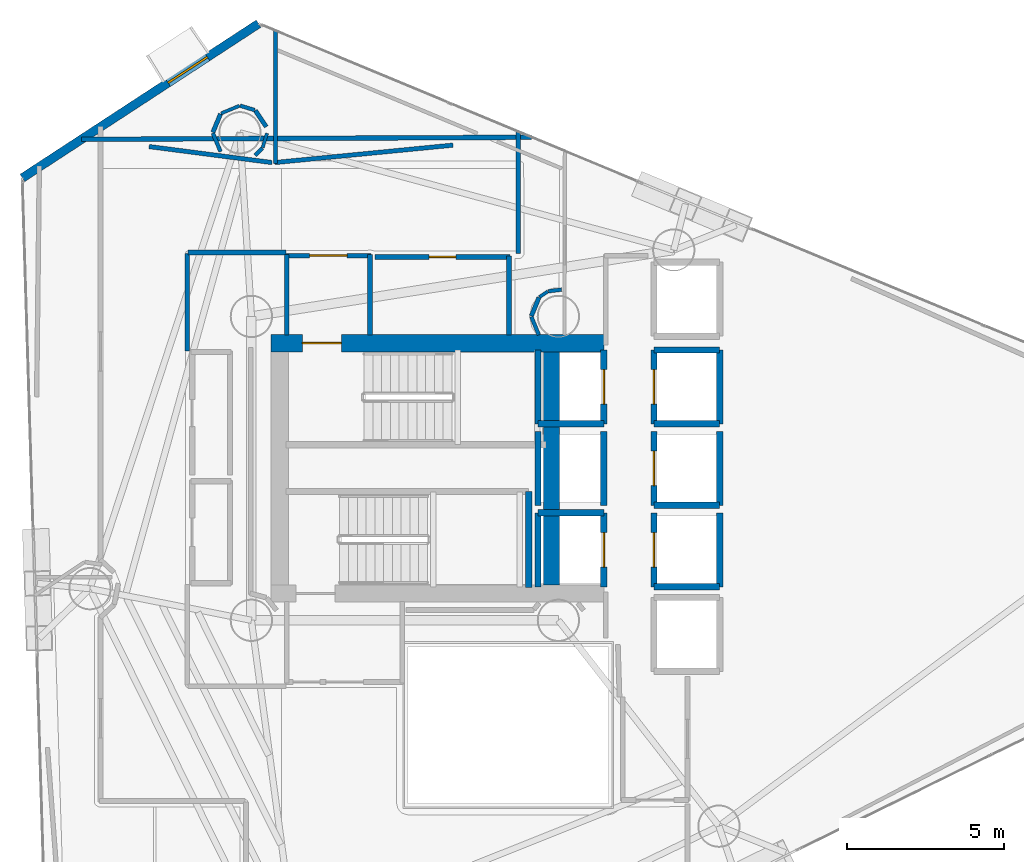
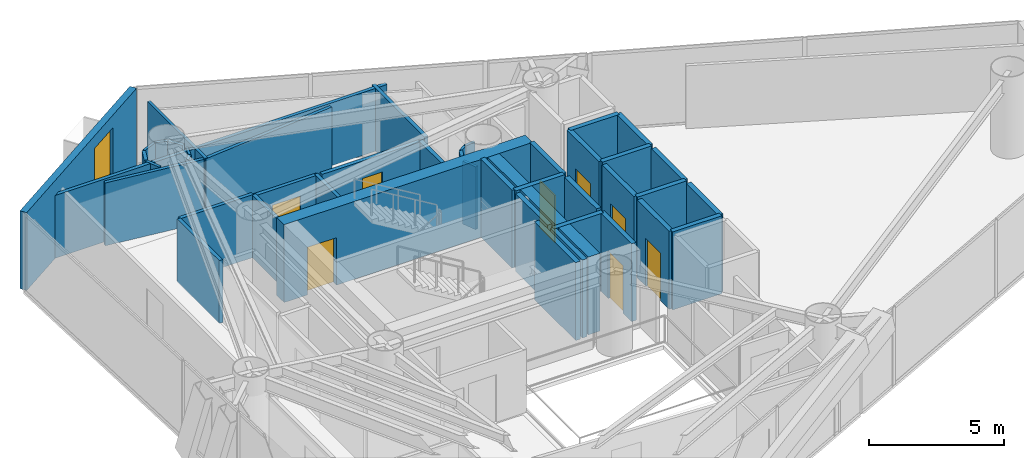
# One storey, part 19 of 22: 45 walls, 8 doors, 1 window, 9 openings.
"""IFC4 building model written with IfcOpenShell, lengths in metres."""

from ifc_helpers import new_model, si_unit, direction, frame, frame_2d, origin, place, context, subcontext, project, spatial, rectangle, extrude, material, layer, layer_set, type_object, element, fill, save


model = new_model("IFC4")

# Units and contexts
model_context = context("Model", 3, precision=1e-05, world=origin(), true_north=direction((0.0, 1.0)))
body_context = subcontext(model_context, "Body", "Model", "MODEL_VIEW")
ifc_project = project(units=[si_unit("LENGTHUNIT", "METRE"), si_unit("AREAUNIT", "SQUARE_METRE"), si_unit("VOLUMEUNIT", "CUBIC_METRE"), si_unit("PLANEANGLEUNIT", "RADIAN"), si_unit("MASSUNIT", "GRAM", prefix="KILO")], contexts=[model_context])

# Site, building, storey
site_placement = place(None, origin())
site = spatial("IfcSite", under=ifc_project, at=site_placement, CompositionType="ELEMENT")
building_placement = place(site_placement, origin())
building = spatial("IfcBuilding", under=site, at=building_placement, Name="Qianvela Tower", CompositionType="ELEMENT")
storey_placement = place(building_placement, frame((0.0, 0.0, 155.0)))
storey = spatial("IfcBuildingStorey", under=building, at=storey_placement, Name="L39", CompositionType="ELEMENT", Elevation=155.0)

# Wall, opening, window
ifc_material_1 = material(Name="Terracotta Cladding on Concrete C40", Category="masonry")
ifc_layer_1 = layer(ifc_material_1, 0.280029296875)
ifc_layer_set_1 = layer_set([ifc_layer_1], Name="Terracotta Cladding on Concrete C40")
wall_type_1 = type_object("IfcWallType", Name="TERRACOTTA-WALL-280", PredefinedType="SOLIDWALL", material=ifc_layer_set_1)
wall_1_placement = place(storey_placement, frame((28.82958984375, 42.894287109375, 0.0), z_axis=(0.0, 0.0, 1.0), x_axis=(-0.837273291315, -0.5467846337, 0.0)))
wall_1 = element("IfcWall", 1, at=wall_1_placement, inside=storey, type_object=wall_type_1, Name="L39 Terracotta Chamfer Facet Wall 3", PredefinedType="SOLIDWALL", context=body_context, shape_type="SweptSolid", body=[
    extrude(rectangle(XDim=9.003662109375, YDim=0.280029296875, at=frame_2d((4.501953125, 0.0))), origin(), (0.0, 0.0, 1.0), 3.52001953125),
])
opening_1_placement = place(wall_1_placement, frame((1.951171875, 0.0, 0.85009765625)))
opening_1 = element("IfcOpeningElement", 2, at=opening_1_placement, cuts=wall_1, Name="Opening W-02", PredefinedType="OPENING", context=body_context, shape_type="SweptSolid", body=[
    extrude(rectangle(XDim=1.5, YDim=2.10009765625, at=frame_2d((0.75, 1.050048828125))), frame((0.0, 0.14990234375, 0.0), z_axis=(0.0, -1.0, 0.0), x_axis=(1.0, 0.0, 0.0)), (0.0, 0.0, 1.0), 0.300048828125),
])
ifc_material_2 = material(Name="Thermally Broken Aluminium and Low-E Glass", Category="aluminium")
window_type = type_object("IfcWindowType", Name="WIN-TC-1500x2100", PartitioningType="DOUBLE_PANEL_VERTICAL", PredefinedType="WINDOW", material=ifc_material_2)
window_placement = place(opening_1_placement, origin())
window = element("IfcWindow", 3, at=window_placement, inside=storey, type_object=window_type, Name="L39 Chamfer Facet Window 3.1", OverallHeight=2.10009765625, OverallWidth=1.5, PartitioningType="SINGLE_PANEL", PredefinedType="WINDOW", context=body_context, shape_type="SweptSolid", body=[
    extrude(rectangle(XDim=1.5, YDim=2.10009765625, at=frame_2d((0.75, 1.050048828125))), frame((0.0, 0.030029296875, 0.0), z_axis=(0.0, -1.0, 0.0), x_axis=(1.0, 0.0, 0.0)), (0.0, 0.0, 1.0), 0.06005859375),
])
fill(opening_1, window)

# Wall, opening, door
ifc_material_3 = material(Name="Concrete C60", Category="concrete")
ifc_layer_2 = layer(ifc_material_3, 0.550048828125)
ifc_layer_set_2 = layer_set([ifc_layer_2], Name="Concrete C60")
wall_type_2 = type_object("IfcWallType", Name="WT-CORE-550", PredefinedType="SHEAR", material=ifc_layer_set_2)
wall_2_placement = place(storey_placement, frame((29.22998046875, 32.695068359375, 0.0), z_axis=(0.0, 0.0, 1.0), x_axis=(1.0, 0.0, 0.0)))
wall_2 = element("IfcWall", 4, at=wall_2_placement, inside=storey, type_object=wall_type_2, Name="L39 North Core Shear Wall", PredefinedType="SHEAR", context=body_context, shape_type="SweptSolid", body=[
    extrude(rectangle(XDim=10.6201171875, YDim=0.550048828125, at=frame_2d((5.31005859375, 0.0))), origin(), (0.0, 0.0, 1.0), 3.52001953125),
])
opening_2_placement = place(wall_2_placement, frame((0.9951171875, 0.0, 0.0)))
opening_2 = element("IfcOpeningElement", 5, at=opening_2_placement, cuts=wall_2, Name="Opening D-ST1", PredefinedType="OPENING", context=body_context, shape_type="SweptSolid", body=[
    extrude(rectangle(XDim=1.25, YDim=2.14990234375, at=frame_2d((0.625, 1.074951171875))), frame((0.0, 0.284912109375, 0.0), z_axis=(0.0, -1.0, 0.0), x_axis=(1.0, 0.0, 0.0)), (0.0, 0.0, 1.0), 0.570068359375),
])
ifc_material_4 = material(Name="Galvanised Fire Steel Q355B", Category="steel")
door_type_1 = type_object("IfcDoorType", Name="DT-STAIR-FD90", OperationType="NOTDEFINED", PredefinedType="DOOR", material=ifc_material_4)
door_1_placement = place(opening_2_placement, origin())
door_1 = element("IfcDoor", 6, at=door_1_placement, inside=storey, type_object=door_type_1, Name="L39 Stair ST-1 Exit Door", OperationType="SINGLE_SWING_RIGHT", OverallHeight=2.14990234375, OverallWidth=1.25, PredefinedType="DOOR", context=body_context, shape_type="SweptSolid", body=[
    extrude(rectangle(XDim=1.25, YDim=2.14990234375, at=frame_2d((0.625, 1.074951171875))), frame((0.0, 0.02490234375, 0.0), z_axis=(0.0, -1.0, 0.0), x_axis=(1.0, 0.0, 0.0)), (0.0, 0.0, 1.0), 0.050048828125),
])
fill(opening_2, door_1)

# Walls
wall_3_placement = place(storey_placement, frame((38.179931640625, 24.97998046875, 0.0), z_axis=(0.0, 0.0, 1.0), x_axis=(0.0, 1.0, 0.0)))
element("IfcWall", 7, at=wall_3_placement, inside=storey, type_object=wall_type_2, Name="L39 East Spine Core Shear Wall", PredefinedType="SHEAR", context=body_context, shape_type="SweptSolid", body=[
    extrude(rectangle(XDim=7.43994140625, YDim=0.5, at=frame_2d((3.719970703125, 0.0))), origin(), (0.0, 0.0, 1.0), 3.52001953125),
])
ifc_material_5 = material(Name="Fire-Rated Acoustic Gypsum Board")
ifc_layer_3 = layer(ifc_material_5, 0.14990234375)
ifc_layer_set_3 = layer_set([ifc_layer_3], Name="Fire-Rated Acoustic Gypsum Board")
wall_type_3 = type_object("IfcWallType", Name="WT-CORR-150", PredefinedType="PARTITIONING", material=ifc_layer_set_3)
wall_4_placement = place(storey_placement, frame((29.73095703125, 32.9580078125, 0.0), z_axis=(0.0, 0.0, 1.0), x_axis=(0.0, 1.0, 0.0)))
element("IfcWall", 8, at=wall_4_placement, inside=storey, type_object=wall_type_3, Name="L39 Partition 2", PredefinedType="PARTITIONING", context=body_context, shape_type="SweptSolid", body=[
    extrude(rectangle(XDim=2.56201171875, YDim=0.14990234375, at=frame_2d((1.281005859375, 0.0))), origin(), (0.0, 0.0, 1.0), 2.840087890625),
])

# Wall, opening, door
wall_5_placement = place(storey_placement, frame((29.699951171875, 35.489013671875, 0.0), z_axis=(0.0, 0.0, 1.0), x_axis=(1.0, 0.0, 0.0)))
wall_5 = element("IfcWall", 9, at=wall_5_placement, inside=storey, type_object=wall_type_3, Name="L39 Partition 3", PredefinedType="PARTITIONING", context=body_context, shape_type="SweptSolid", body=[
    extrude(rectangle(XDim=2.719970703125, YDim=0.14990234375, at=frame_2d((1.35986328125, 0.0))), origin(), (0.0, 0.0, 1.0), 2.840087890625),
])
opening_3_placement = place(wall_5_placement, frame((0.760009765625, 0.0, 0.0)))
opening_3 = element("IfcOpeningElement", 10, at=opening_3_placement, cuts=wall_5, Name="Opening D-LB1", PredefinedType="OPENING", context=body_context, shape_type="SweptSolid", body=[
    extrude(rectangle(XDim=1.199951171875, YDim=2.14990234375, at=frame_2d((0.60009765625, 1.074951171875))), frame((0.0, 0.0849609375, 0.0), z_axis=(0.0, -1.0, 0.0), x_axis=(1.0, 0.0, 0.0)), (0.0, 0.0, 1.0), 0.169921875),
])
ifc_material_6 = material(Name="Glazed Fire-Rated Steel Frame", Category="steel")
door_type_2 = type_object("IfcDoorType", Name="DT-LOBBY-FD90", OperationType="NOTDEFINED", PredefinedType="DOOR", material=ifc_material_6)
door_2_placement = place(opening_3_placement, origin())
door_2 = element("IfcDoor", 11, at=door_2_placement, inside=storey, type_object=door_type_2, Name="L39 Door L39 Firefighting Lobby North to L39 Floor Corridor", OperationType="SINGLE_SWING_LEFT", OverallHeight=2.14990234375, OverallWidth=1.199951171875, PredefinedType="DOOR", context=body_context, shape_type="SweptSolid", body=[
    extrude(rectangle(XDim=1.199951171875, YDim=2.14990234375, at=frame_2d((0.60009765625, 1.074951171875))), frame((0.0, 0.02490234375, 0.0), z_axis=(0.0, -1.0, 0.0), x_axis=(1.0, 0.0, 0.0)), (0.0, 0.0, 1.0), 0.050048828125),
])
fill(opening_3, door_2)

# Walls
wall_6_placement = place(storey_placement, frame((32.388916015625, 35.52001953125, 0.0), z_axis=(0.0, 0.0, 1.0), x_axis=(0.0, -1.0, 0.0)))
element("IfcWall", 12, at=wall_6_placement, inside=storey, type_object=wall_type_3, Name="L39 Partition 4", PredefinedType="PARTITIONING", context=body_context, shape_type="SweptSolid", body=[
    extrude(rectangle(XDim=2.56201171875, YDim=0.14990234375, at=frame_2d((1.281005859375, 0.0))), origin(), (0.0, 0.0, 1.0), 2.840087890625),
])
wall_7_placement = place(storey_placement, frame((23.174072265625, 39.200927734375, 0.0), z_axis=(0.0, 0.0, 1.0), x_axis=(0.999989166238, 0.004654826148, 0.0)))
element("IfcWall", 13, at=wall_7_placement, inside=storey, type_object=wall_type_3, Name="L39 Partition 50", PredefinedType="PARTITIONING", context=body_context, shape_type="SweptSolid", body=[
    extrude(rectangle(XDim=14.37109375, YDim=0.14990234375, at=frame_2d((7.185546875, 0.0))), origin(), (0.0, 0.0, 1.0), 2.840087890625),
])
wall_8_placement = place(storey_placement, frame((37.118896484375, 39.465087890625, 0.0), z_axis=(0.0, 0.0, 1.0), x_axis=(0.0, -1.0, 0.0)))
element("IfcWall", 14, at=wall_8_placement, inside=storey, type_object=wall_type_3, Name="L39 Partition 51", PredefinedType="PARTITIONING", context=body_context, shape_type="SweptSolid", body=[
    extrude(rectangle(XDim=3.905029296875, YDim=0.14990234375, at=frame_2d((1.95263671875, 0.0))), origin(), (0.0, 0.0, 1.0), 2.840087890625),
])
wall_9_placement = place(storey_placement, frame((29.699951171875, 35.591064453125, 0.0), z_axis=(0.0, 0.0, 1.0), x_axis=(-1.0, 0.0, 0.0)))
element("IfcWall", 15, at=wall_9_placement, inside=storey, type_object=wall_type_3, Name="L39 Partition 52 seg 3", PredefinedType="PARTITIONING", context=body_context, shape_type="SweptSolid", body=[
    extrude(rectangle(XDim=3.119873046875, YDim=0.14990234375, at=frame_2d((1.56005859375, 0.0))), origin(), (0.0, 0.0, 1.0), 2.840087890625),
])
wall_10_placement = place(storey_placement, frame((26.549072265625, 35.56005859375, 0.0), z_axis=(0.0, 0.0, 1.0), x_axis=(0.0, -1.0, 0.0)))
element("IfcWall", 16, at=wall_10_placement, inside=storey, type_object=wall_type_3, Name="L39 Partition 53 seg 1", PredefinedType="PARTITIONING", context=body_context, shape_type="SweptSolid", body=[
    extrude(rectangle(XDim=3.110107421875, YDim=0.14990234375, at=frame_2d((1.55517578125, 0.0))), origin(), (0.0, 0.0, 1.0), 2.840087890625),
])
ifc_material_7 = material(Name="Lightweight Gypsum Room Partition")
ifc_layer_4 = layer(ifc_material_7, 0.10498046875)
ifc_layer_set_4 = layer_set([ifc_layer_4], Name="Lightweight Gypsum Room Partition")
wall_type_4 = type_object("IfcWallType", Name="WT-PART-105", PredefinedType="PARTITIONING", material=ifc_layer_set_4)
wall_11_placement = place(storey_placement, frame((38.063232421875, 34.34716796875, 0.0), z_axis=(0.0, 0.0, 1.0), x_axis=(-0.83170430964, -0.555218822922, 0.0)))
element("IfcWall", 17, at=wall_11_placement, inside=storey, type_object=wall_type_4, Name="L39 Partition 115", PredefinedType="PARTITIONING", context=body_context, shape_type="SweptSolid", body=[
    extrude(rectangle(XDim=0.325927734375, YDim=0.10498046875, at=frame_2d((0.1630859375, 0.0))), origin(), (0.0, 0.0, 1.0), 2.840087890625),
])
wall_12_placement = place(storey_placement, frame((28.22314453125, 40.274658203125, 0.0), z_axis=(0.0, 0.0, 1.0), x_axis=(-0.923821221018, -0.382824178437, 0.0)))
element("IfcWall", 18, at=wall_12_placement, inside=storey, type_object=wall_type_4, Name="L39 Partition 127", PredefinedType="PARTITIONING", context=body_context, shape_type="SweptSolid", body=[
    extrude(rectangle(XDim=0.638916015625, YDim=0.10498046875, at=frame_2d((0.3193359375, 0.0))), origin(), (0.0, 0.0, 1.0), 2.840087890625),
])
wall_13_placement = place(storey_placement, frame((28.958984375, 38.93798828125, 0.0), z_axis=(0.0, 0.0, 1.0), x_axis=(0.292866596221, 0.956153312402, 0.0)))
element("IfcWall", 19, at=wall_13_placement, inside=storey, type_object=wall_type_4, Name="L39 Partition 133", PredefinedType="PARTITIONING", context=body_context, shape_type="SweptSolid", body=[
    extrude(rectangle(XDim=0.478515625, YDim=0.10498046875, at=frame_2d((0.2392578125, 0.0))), origin(), (0.0, 0.0, 1.0), 2.840087890625),
])
ifc_material_8 = material(Name="Insulated Gypsum Stud Partition")
ifc_layer_5 = layer(ifc_material_8, 0.1201171875)
ifc_layer_set_5 = layer_set([ifc_layer_5], Name="Insulated Gypsum Stud Partition")
wall_type_5 = type_object("IfcWallType", Name="WT-PART-120", PredefinedType="PARTITIONING", material=ifc_layer_set_5)
wall_14_placement = place(storey_placement, frame((29.373046875, 38.429931640625, 0.0), z_axis=(0.0, 0.0, 1.0), x_axis=(0.0, 1.0, 0.0)))
element("IfcWall", 20, at=wall_14_placement, inside=storey, type_object=wall_type_5, Name="L39 Partition 111", PredefinedType="PARTITIONING", context=body_context, shape_type="SweptSolid", body=[
    extrude(rectangle(XDim=4.25830078125, YDim=0.1201171875, at=frame_2d((2.129150390625, 0.0))), origin(), (0.0, 0.0, 1.0), 2.840087890625),
])
wall_15_placement = place(storey_placement, frame((38.501953125, 34.405517578125, 0.0), z_axis=(0.0, 0.0, 1.0), x_axis=(-0.992260340351, -0.124174945004, 0.0)))
element("IfcWall", 21, at=wall_15_placement, inside=storey, type_object=wall_type_5, Name="L39 Partition 114", PredefinedType="PARTITIONING", context=body_context, shape_type="SweptSolid", body=[
    extrude(rectangle(XDim=0.4287109375, YDim=0.1201171875, at=frame_2d((0.21435546875, 0.0))), origin(), (0.0, 0.0, 1.0), 2.840087890625),
])
wall_16_placement = place(storey_placement, frame((37.536376953125, 33.5380859375, 0.0), z_axis=(0.0, 0.0, 1.0), x_axis=(0.382626535499, -0.923903097912, 0.0)))
element("IfcWall", 22, at=wall_16_placement, inside=storey, type_object=wall_type_5, Name="L39 Partition 117", PredefinedType="PARTITIONING", context=body_context, shape_type="SweptSolid", body=[
    extrude(rectangle(XDim=0.6279296875, YDim=0.1201171875, at=frame_2d((0.31396484375, 0.0))), origin(), (0.0, 0.0, 1.0), 2.840087890625),
])
wall_17_placement = place(storey_placement, frame((28.7080078125, 40.135009765625, 0.0), z_axis=(0.0, 0.0, 1.0), x_axis=(-0.95703287226, 0.289979449985, 0.0)))
element("IfcWall", 23, at=wall_17_placement, inside=storey, type_object=wall_type_5, Name="L39 Partition 126", PredefinedType="PARTITIONING", context=body_context, shape_type="SweptSolid", body=[
    extrude(rectangle(XDim=0.48486328125, YDim=0.1201171875, at=frame_2d((0.242431640625, 0.0))), origin(), (0.0, 0.0, 1.0), 2.840087890625),
])
wall_18_placement = place(storey_placement, frame((27.371337890625, 39.399169921875, 0.0), z_axis=(0.0, 0.0, 1.0), x_axis=(0.38268910224, -0.923877183952, 0.0)))
element("IfcWall", 24, at=wall_18_placement, inside=storey, type_object=wall_type_5, Name="L39 Partition 129", PredefinedType="PARTITIONING", context=body_context, shape_type="SweptSolid", body=[
    extrude(rectangle(XDim=0.63916015625, YDim=0.1201171875, at=frame_2d((0.319580078125, 0.0))), origin(), (0.0, 0.0, 1.0), 2.840087890625),
])
wall_19_placement = place(storey_placement, frame((28.720703125, 38.69482421875, 0.0), z_axis=(0.0, 0.0, 1.0), x_axis=(0.707106781187, 0.707106781187, 0.0)))
element("IfcWall", 25, at=wall_19_placement, inside=storey, type_object=wall_type_5, Name="L39 Partition 132", PredefinedType="PARTITIONING", context=body_context, shape_type="SweptSolid", body=[
    extrude(rectangle(XDim=0.325927734375, YDim=0.1201171875, at=frame_2d((0.1630859375, 0.0))), origin(), (0.0, 0.0, 1.0), 2.840087890625),
])

# Wall, opening, door
ifc_material_9 = material(Name="Sanitary Service Chase Partition")
ifc_layer_6 = layer(ifc_material_9, 0.1650390625)
ifc_layer_set_6 = layer_set([ifc_layer_6], Name="Sanitary Service Chase Partition")
wall_type_6 = type_object("IfcWallType", Name="WT-PLUMB-165", PredefinedType="PLUMBINGWALL", material=ifc_layer_set_6)
wall_20_placement = place(storey_placement, frame((32.550048828125, 35.448974609375, 0.0), z_axis=(0.0, 0.0, 1.0), x_axis=(1.0, 0.0, 0.0)))
wall_20 = element("IfcWall", 26, at=wall_20_placement, inside=storey, type_object=wall_type_6, Name="L39 Partition 22", PredefinedType="PLUMBINGWALL", context=body_context, shape_type="SweptSolid", body=[
    extrude(rectangle(XDim=4.300048828125, YDim=0.1650390625, at=frame_2d((2.14990234375, 0.0))), origin(), (0.0, 0.0, 1.0), 2.840087890625),
])
opening_4_placement = place(wall_20_placement, frame((1.719970703125, 0.0, 0.0)))
opening_4 = element("IfcOpeningElement", 27, at=opening_4_placement, cuts=wall_20, Name="Opening D-WC1", PredefinedType="OPENING", context=body_context, shape_type="SweptSolid", body=[
    extrude(rectangle(XDim=0.860107421875, YDim=2.050048828125, at=frame_2d((0.43017578125, 1.02490234375))), frame((0.0, 0.092529296875, 0.0), z_axis=(0.0, -1.0, 0.0), x_axis=(1.0, 0.0, 0.0)), (0.0, 0.0, 1.0), 0.18505859375),
])
ifc_material_10 = material(Name="Moisture-Sealed Acoustic Timber Door", Category="wood")
door_type_3 = type_object("IfcDoorType", Name="DT-WC-860", OperationType="NOTDEFINED", PredefinedType="DOOR", material=ifc_material_10)
door_3_placement = place(opening_4_placement, origin())
door_3 = element("IfcDoor", 28, at=door_3_placement, inside=storey, type_object=door_type_3, Name="L39 Door L39 Accessible WC to L39 Floor Corridor", OperationType="SINGLE_SWING_RIGHT", OverallHeight=2.050048828125, OverallWidth=0.860107421875, PredefinedType="DOOR", context=body_context, shape_type="SweptSolid", body=[
    extrude(rectangle(XDim=0.860107421875, YDim=2.050048828125, at=frame_2d((0.43017578125, 1.02490234375))), frame((0.0, 0.02490234375, 0.0), z_axis=(0.0, -1.0, 0.0), x_axis=(1.0, 0.0, 0.0)), (0.0, 0.0, 1.0), 0.050048828125),
])
fill(opening_4, door_3)

# Walls
wall_21_placement = place(storey_placement, frame((36.819091796875, 35.47998046875, 0.0), z_axis=(0.0, 0.0, 1.0), x_axis=(0.0, -1.0, 0.0)))
element("IfcWall", 29, at=wall_21_placement, inside=storey, type_object=wall_type_6, Name="L39 Partition 23", PredefinedType="PLUMBINGWALL", context=body_context, shape_type="SweptSolid", body=[
    extrude(rectangle(XDim=2.52197265625, YDim=0.1650390625, at=frame_2d((1.260986328125, 0.0))), origin(), (0.0, 0.0, 1.0), 2.840087890625),
])
ifc_material_11 = material(Name="Acoustic Double Gypsum Stud Partition")
ifc_layer_7 = layer(ifc_material_11, 0.139892578125)
ifc_layer_set_7 = layer_set([ifc_layer_7], Name="Acoustic Double Gypsum Stud Partition")
wall_type_7 = type_object("IfcWallType", Name="WT-ROOM-140", PredefinedType="PARTITIONING", material=ifc_layer_set_7)
wall_22_placement = place(storey_placement, frame((35.033203125, 39.01611328125, 0.0), z_axis=(0.0, 0.0, 1.0), x_axis=(-0.995275640249, -0.097089648918, 0.0)))
element("IfcWall", 30, at=wall_22_placement, inside=storey, type_object=wall_type_7, Name="L39 Partition 110 seg 2", PredefinedType="PARTITIONING", context=body_context, shape_type="SweptSolid", body=[
    extrude(rectangle(XDim=5.71826171875, YDim=0.139892578125, at=frame_2d((2.859130859375, 0.0))), origin(), (0.0, 0.0, 1.0), 2.840087890625),
])
wall_23_placement = place(storey_placement, frame((37.781005859375, 34.15234375, 0.0), z_axis=(0.0, 0.0, 1.0), x_axis=(-0.382824178437, -0.923821221018, 0.0)))
element("IfcWall", 31, at=wall_23_placement, inside=storey, type_object=wall_type_7, Name="L39 Partition 116", PredefinedType="PARTITIONING", context=body_context, shape_type="SweptSolid", body=[
    extrude(rectangle(XDim=0.638916015625, YDim=0.139892578125, at=frame_2d((0.3193359375, 0.0))), origin(), (0.0, 0.0, 1.0), 2.840087890625),
])
wall_24_placement = place(storey_placement, frame((29.076416015625, 39.601806640625, 0.0), z_axis=(0.0, 0.0, 1.0), x_axis=(-0.559799741872, 0.828627931584, 0.0)))
element("IfcWall", 32, at=wall_24_placement, inside=storey, type_object=wall_type_7, Name="L39 Partition 125", PredefinedType="PARTITIONING", context=body_context, shape_type="SweptSolid", body=[
    extrude(rectangle(XDim=0.62841796875, YDim=0.139892578125, at=frame_2d((0.314208984375, 0.0))), origin(), (0.0, 0.0, 1.0), 2.840087890625),
])
wall_25_placement = place(storey_placement, frame((27.615966796875, 40.01318359375, 0.0), z_axis=(0.0, 0.0, 1.0), x_axis=(-0.382824178437, -0.923821221018, 0.0)))
element("IfcWall", 33, at=wall_25_placement, inside=storey, type_object=wall_type_7, Name="L39 Partition 128", PredefinedType="PARTITIONING", context=body_context, shape_type="SweptSolid", body=[
    extrude(rectangle(XDim=0.638916015625, YDim=0.139892578125, at=frame_2d((0.3193359375, 0.0))), origin(), (0.0, 0.0, 1.0), 2.840087890625),
])
wall_26_placement = place(storey_placement, frame((29.258056640625, 38.4609375, 0.0), z_axis=(0.0, 0.0, 1.0), x_axis=(-0.991648515984, 0.128969844331, 0.0)))
element("IfcWall", 34, at=wall_26_placement, inside=storey, type_object=wall_type_7, Name="L39 Partition 134 seg 1", PredefinedType="PARTITIONING", context=body_context, shape_type="SweptSolid", body=[
    extrude(rectangle(XDim=3.956298828125, YDim=0.139892578125, at=frame_2d((1.97802734375, 0.0))), origin(), (0.0, 0.0, 1.0), 2.840087890625),
])
ifc_material_12 = material(Name="Concrete C50", Category="concrete")
ifc_layer_8 = layer(ifc_material_12, 0.199951171875)
ifc_layer_set_8 = layer_set([ifc_layer_8], Name="Concrete C50")
wall_type_8 = type_object("IfcWallType", Name="WT-SHAFT-200", PredefinedType="SOLIDWALL", material=ifc_layer_set_8)
wall_27_placement = place(storey_placement, frame((37.449951171875, 24.89990234375, 0.0), z_axis=(0.0, 0.0, 1.0), x_axis=(0.0, 1.0, 0.0)))
element("IfcWall", 35, at=wall_27_placement, inside=storey, type_object=wall_type_8, Name="L39 Stair ST-2 East Wall", PredefinedType="SOLIDWALL", context=body_context, shape_type="SweptSolid", body=[
    extrude(rectangle(XDim=3.06005859375, YDim=0.199951171875, at=frame_2d((1.530029296875, 0.0))), origin(), (0.0, 0.0, 1.0), 3.52001953125),
])

# Wall, opening, door
wall_28_placement = place(storey_placement, frame((39.85009765625, 30.1201171875, 0.0), z_axis=(0.0, 0.0, 1.0), x_axis=(0.0, 1.0, 0.0)))
wall_28 = element("IfcWall", 36, at=wall_28_placement, inside=storey, type_object=wall_type_8, Name="L39 Lift FL-1 E Shaft Wall", PredefinedType="SOLIDWALL", context=body_context, shape_type="SweptSolid", body=[
    extrude(rectangle(XDim=2.35986328125, YDim=0.199951171875, at=frame_2d((1.179931640625, 0.0))), origin(), (0.0, 0.0, 1.0), 3.52001953125),
])
opening_5_placement = place(wall_28_placement, frame((0.6298828125, 0.0, 0.0)))
opening_5 = element("IfcOpeningElement", 37, at=opening_5_placement, cuts=wall_28, Name="Opening LD-01", PredefinedType="OPENING", context=body_context, shape_type="SweptSolid", body=[
    extrude(rectangle(XDim=1.10009765625, YDim=2.14990234375, at=frame_2d((0.550048828125, 1.074951171875))), frame((0.0, 0.10986328125, 0.0), z_axis=(0.0, -1.0, 0.0), x_axis=(1.0, 0.0, 0.0)), (0.0, 0.0, 1.0), 0.219970703125),
])
ifc_material_13 = material(Name="Brushed Stainless Steel Lift Landing Door", Category="steel")
door_type_4 = type_object("IfcDoorType", Name="DT-LIFT-SLIDE-1100", OperationType="SLIDING_TO_LEFT", PredefinedType="DOOR", material=ifc_material_13)
door_4_placement = place(opening_5_placement, origin())
door_4 = element("IfcDoor", 38, at=door_4_placement, inside=storey, type_object=door_type_4, Name="L39 Lift FL-1 Sliding Landing Door", OperationType="SLIDING_TO_LEFT", OverallHeight=2.14990234375, OverallWidth=1.10009765625, PredefinedType="DOOR", context=body_context, shape_type="SweptSolid", body=[
    extrude(rectangle(XDim=1.10009765625, YDim=2.14990234375, at=frame_2d((0.550048828125, 1.074951171875))), frame((0.0, 0.02490234375, 0.0), z_axis=(0.0, -1.0, 0.0), x_axis=(1.0, 0.0, 0.0)), (0.0, 0.0, 1.0), 0.050048828125),
])
fill(opening_5, door_4)

# Walls
wall_29_placement = place(storey_placement, frame((37.75, 30.1201171875, 0.0), z_axis=(0.0, 0.0, 1.0), x_axis=(0.0, 1.0, 0.0)))
element("IfcWall", 39, at=wall_29_placement, inside=storey, type_object=wall_type_8, Name="L39 Lift FL-1 W Shaft Wall", PredefinedType="SOLIDWALL", context=body_context, shape_type="SweptSolid", body=[
    extrude(rectangle(XDim=2.35986328125, YDim=0.199951171875, at=frame_2d((1.179931640625, 0.0))), origin(), (0.0, 0.0, 1.0), 3.52001953125),
])
wall_30_placement = place(storey_placement, frame((37.75, 30.1201171875, 0.0), z_axis=(0.0, 0.0, 1.0), x_axis=(1.0, 0.0, 0.0)))
element("IfcWall", 40, at=wall_30_placement, inside=storey, type_object=wall_type_8, Name="L39 Lift FL-1 S Shaft Wall", PredefinedType="SOLIDWALL", context=body_context, shape_type="SweptSolid", body=[
    extrude(rectangle(XDim=2.10009765625, YDim=0.199951171875, at=frame_2d((1.050048828125, 0.0))), origin(), (0.0, 0.0, 1.0), 3.52001953125),
])

# Wall, opening, door
wall_31_placement = place(storey_placement, frame((39.85009765625, 24.919921875, 0.0), z_axis=(0.0, 0.0, 1.0), x_axis=(0.0, 1.0, 0.0)))
wall_31 = element("IfcWall", 41, at=wall_31_placement, inside=storey, type_object=wall_type_8, Name="L39 Lift FL-2 E Shaft Wall", PredefinedType="SOLIDWALL", context=body_context, shape_type="SweptSolid", body=[
    extrude(rectangle(XDim=2.360107421875, YDim=0.199951171875, at=frame_2d((1.18017578125, 0.0))), origin(), (0.0, 0.0, 1.0), 3.52001953125),
])
opening_6_placement = place(wall_31_placement, frame((0.6298828125, 0.0, 0.0)))
opening_6 = element("IfcOpeningElement", 42, at=opening_6_placement, cuts=wall_31, Name="Opening LD-01", PredefinedType="OPENING", context=body_context, shape_type="SweptSolid", body=[
    extrude(rectangle(XDim=1.10009765625, YDim=2.14990234375, at=frame_2d((0.550048828125, 1.074951171875))), frame((0.0, 0.10986328125, 0.0), z_axis=(0.0, -1.0, 0.0), x_axis=(1.0, 0.0, 0.0)), (0.0, 0.0, 1.0), 0.219970703125),
])
door_5_placement = place(opening_6_placement, origin())
door_5 = element("IfcDoor", 43, at=door_5_placement, inside=storey, type_object=door_type_4, Name="L39 Lift FL-2 Sliding Landing Door", OperationType="SLIDING_TO_LEFT", OverallHeight=2.14990234375, OverallWidth=1.10009765625, PredefinedType="DOOR", context=body_context, shape_type="SweptSolid", body=[
    extrude(rectangle(XDim=1.10009765625, YDim=2.14990234375, at=frame_2d((0.550048828125, 1.074951171875))), frame((0.0, 0.02490234375, 0.0), z_axis=(0.0, -1.0, 0.0), x_axis=(1.0, 0.0, 0.0)), (0.0, 0.0, 1.0), 0.050048828125),
])
fill(opening_6, door_5)

# Walls
wall_32_placement = place(storey_placement, frame((37.75, 24.919921875, 0.0), z_axis=(0.0, 0.0, 1.0), x_axis=(0.0, 1.0, 0.0)))
element("IfcWall", 44, at=wall_32_placement, inside=storey, type_object=wall_type_8, Name="L39 Lift FL-2 W Shaft Wall", PredefinedType="SOLIDWALL", context=body_context, shape_type="SweptSolid", body=[
    extrude(rectangle(XDim=2.360107421875, YDim=0.199951171875, at=frame_2d((1.18017578125, 0.0))), origin(), (0.0, 0.0, 1.0), 3.52001953125),
])
wall_33_placement = place(storey_placement, frame((37.75, 27.280029296875, 0.0), z_axis=(0.0, 0.0, 1.0), x_axis=(1.0, 0.0, 0.0)))
element("IfcWall", 45, at=wall_33_placement, inside=storey, type_object=wall_type_8, Name="L39 Lift FL-2 N Shaft Wall", PredefinedType="SOLIDWALL", context=body_context, shape_type="SweptSolid", body=[
    extrude(rectangle(XDim=2.10009765625, YDim=0.199951171875, at=frame_2d((1.050048828125, 0.0))), origin(), (0.0, 0.0, 1.0), 3.52001953125),
])
wall_34_placement = place(storey_placement, frame((43.550048828125, 30.1201171875, 0.0), z_axis=(0.0, 0.0, 1.0), x_axis=(0.0, 1.0, 0.0)))
element("IfcWall", 46, at=wall_34_placement, inside=storey, type_object=wall_type_8, Name="L39 Lift PL-M1 E Shaft Wall", PredefinedType="SOLIDWALL", context=body_context, shape_type="SweptSolid", body=[
    extrude(rectangle(XDim=2.35986328125, YDim=0.199951171875, at=frame_2d((1.179931640625, 0.0))), origin(), (0.0, 0.0, 1.0), 3.52001953125),
])

# Wall, opening, door
wall_35_placement = place(storey_placement, frame((41.449951171875, 30.1201171875, 0.0), z_axis=(0.0, 0.0, 1.0), x_axis=(0.0, 1.0, 0.0)))
wall_35 = element("IfcWall", 47, at=wall_35_placement, inside=storey, type_object=wall_type_8, Name="L39 Lift PL-M1 W Shaft Wall", PredefinedType="SOLIDWALL", context=body_context, shape_type="SweptSolid", body=[
    extrude(rectangle(XDim=2.35986328125, YDim=0.199951171875, at=frame_2d((1.179931640625, 0.0))), origin(), (0.0, 0.0, 1.0), 3.52001953125),
])
opening_7_placement = place(wall_35_placement, frame((0.6298828125, 0.0, 0.0)))
opening_7 = element("IfcOpeningElement", 48, at=opening_7_placement, cuts=wall_35, Name="Opening LD-01", PredefinedType="OPENING", context=body_context, shape_type="SweptSolid", body=[
    extrude(rectangle(XDim=1.10009765625, YDim=2.14990234375, at=frame_2d((0.550048828125, 1.074951171875))), frame((0.0, 0.10986328125, 0.0), z_axis=(0.0, -1.0, 0.0), x_axis=(1.0, 0.0, 0.0)), (0.0, 0.0, 1.0), 0.219970703125),
])
door_6_placement = place(opening_7_placement, origin())
door_6 = element("IfcDoor", 49, at=door_6_placement, inside=storey, type_object=door_type_4, Name="L39 Lift PL-M1 Sliding Landing Door", OperationType="SLIDING_TO_LEFT", OverallHeight=2.14990234375, OverallWidth=1.10009765625, PredefinedType="DOOR", context=body_context, shape_type="SweptSolid", body=[
    extrude(rectangle(XDim=1.10009765625, YDim=2.14990234375, at=frame_2d((0.550048828125, 1.074951171875))), frame((0.0, 0.02490234375, 0.0), z_axis=(0.0, -1.0, 0.0), x_axis=(1.0, 0.0, 0.0)), (0.0, 0.0, 1.0), 0.050048828125),
])
fill(opening_7, door_6)

# Walls
for number, where, z_axis, x_axis, name in (
    (50, (41.449951171875, 32.47998046875, 0.0), (0.0, 0.0, 1.0), (1.0, 0.0, 0.0), "L39 Lift PL-M1 N Shaft Wall"),
    (51, (41.449951171875, 30.1201171875, 0.0), (0.0, 0.0, 1.0), (1.0, 0.0, 0.0), "L39 Lift PL-M1 S Shaft Wall"),
):
    element("IfcWall", number, at=place(storey_placement, frame(where, z_axis=z_axis, x_axis=x_axis)), inside=storey, type_object=wall_type_8, Name=name, PredefinedType="SOLIDWALL", context=body_context, shape_type="SweptSolid", body=[
        extrude(rectangle(XDim=2.10009765625, YDim=0.199951171875, at=frame_2d((1.050048828125, 0.0))), origin(), (0.0, 0.0, 1.0), 3.52001953125),
    ])
wall_36_placement = place(storey_placement, frame((43.550048828125, 27.52001953125, 0.0), z_axis=(0.0, 0.0, 1.0), x_axis=(0.0, 1.0, 0.0)))
element("IfcWall", 52, at=wall_36_placement, inside=storey, type_object=wall_type_8, Name="L39 Lift PL-M2 E Shaft Wall", PredefinedType="SOLIDWALL", context=body_context, shape_type="SweptSolid", body=[
    extrude(rectangle(XDim=2.35986328125, YDim=0.199951171875, at=frame_2d((1.179931640625, 0.0))), origin(), (0.0, 0.0, 1.0), 3.52001953125),
])

# Wall, opening, door
wall_37_placement = place(storey_placement, frame((41.449951171875, 27.52001953125, 0.0), z_axis=(0.0, 0.0, 1.0), x_axis=(0.0, 1.0, 0.0)))
wall_37 = element("IfcWall", 53, at=wall_37_placement, inside=storey, type_object=wall_type_8, Name="L39 Lift PL-M2 W Shaft Wall", PredefinedType="SOLIDWALL", context=body_context, shape_type="SweptSolid", body=[
    extrude(rectangle(XDim=2.35986328125, YDim=0.199951171875, at=frame_2d((1.179931640625, 0.0))), origin(), (0.0, 0.0, 1.0), 3.52001953125),
])
opening_8_placement = place(wall_37_placement, frame((0.6298828125, 0.0, 0.0)))
opening_8 = element("IfcOpeningElement", 54, at=opening_8_placement, cuts=wall_37, Name="Opening LD-01", PredefinedType="OPENING", context=body_context, shape_type="SweptSolid", body=[
    extrude(rectangle(XDim=1.10009765625, YDim=2.14990234375, at=frame_2d((0.550048828125, 1.074951171875))), frame((0.0, 0.10986328125, 0.0), z_axis=(0.0, -1.0, 0.0), x_axis=(1.0, 0.0, 0.0)), (0.0, 0.0, 1.0), 0.219970703125),
])
door_7_placement = place(opening_8_placement, origin())
door_7 = element("IfcDoor", 55, at=door_7_placement, inside=storey, type_object=door_type_4, Name="L39 Lift PL-M2 Sliding Landing Door", OperationType="SLIDING_TO_LEFT", OverallHeight=2.14990234375, OverallWidth=1.10009765625, PredefinedType="DOOR", context=body_context, shape_type="SweptSolid", body=[
    extrude(rectangle(XDim=1.10009765625, YDim=2.14990234375, at=frame_2d((0.550048828125, 1.074951171875))), frame((0.0, 0.02490234375, 0.0), z_axis=(0.0, -1.0, 0.0), x_axis=(1.0, 0.0, 0.0)), (0.0, 0.0, 1.0), 0.050048828125),
])
fill(opening_8, door_7)

# Walls
wall_38_placement = place(storey_placement, frame((41.449951171875, 27.52001953125, 0.0), z_axis=(0.0, 0.0, 1.0), x_axis=(1.0, 0.0, 0.0)))
element("IfcWall", 56, at=wall_38_placement, inside=storey, type_object=wall_type_8, Name="L39 Lift PL-M2 S Shaft Wall", PredefinedType="SOLIDWALL", context=body_context, shape_type="SweptSolid", body=[
    extrude(rectangle(XDim=2.10009765625, YDim=0.199951171875, at=frame_2d((1.050048828125, 0.0))), origin(), (0.0, 0.0, 1.0), 3.52001953125),
])
wall_39_placement = place(storey_placement, frame((43.550048828125, 24.919921875, 0.0), z_axis=(0.0, 0.0, 1.0), x_axis=(0.0, 1.0, 0.0)))
element("IfcWall", 57, at=wall_39_placement, inside=storey, type_object=wall_type_8, Name="L39 Lift PL-M3 E Shaft Wall", PredefinedType="SOLIDWALL", context=body_context, shape_type="SweptSolid", body=[
    extrude(rectangle(XDim=2.360107421875, YDim=0.199951171875, at=frame_2d((1.18017578125, 0.0))), origin(), (0.0, 0.0, 1.0), 3.52001953125),
])

# Wall, opening, door
wall_40_placement = place(storey_placement, frame((41.449951171875, 24.919921875, 0.0), z_axis=(0.0, 0.0, 1.0), x_axis=(0.0, 1.0, 0.0)))
wall_40 = element("IfcWall", 58, at=wall_40_placement, inside=storey, type_object=wall_type_8, Name="L39 Lift PL-M3 W Shaft Wall", PredefinedType="SOLIDWALL", context=body_context, shape_type="SweptSolid", body=[
    extrude(rectangle(XDim=2.360107421875, YDim=0.199951171875, at=frame_2d((1.18017578125, 0.0))), origin(), (0.0, 0.0, 1.0), 3.52001953125),
])
opening_9_placement = place(wall_40_placement, frame((0.6298828125, 0.0, 0.0)))
opening_9 = element("IfcOpeningElement", 59, at=opening_9_placement, cuts=wall_40, Name="Opening LD-01", PredefinedType="OPENING", context=body_context, shape_type="SweptSolid", body=[
    extrude(rectangle(XDim=1.10009765625, YDim=2.14990234375, at=frame_2d((0.550048828125, 1.074951171875))), frame((0.0, 0.10986328125, 0.0), z_axis=(0.0, -1.0, 0.0), x_axis=(1.0, 0.0, 0.0)), (0.0, 0.0, 1.0), 0.219970703125),
])
door_8_placement = place(opening_9_placement, origin())
door_8 = element("IfcDoor", 60, at=door_8_placement, inside=storey, type_object=door_type_4, Name="L39 Lift PL-M3 Sliding Landing Door", OperationType="SLIDING_TO_LEFT", OverallHeight=2.14990234375, OverallWidth=1.10009765625, PredefinedType="DOOR", context=body_context, shape_type="SweptSolid", body=[
    extrude(rectangle(XDim=1.10009765625, YDim=2.14990234375, at=frame_2d((0.550048828125, 1.074951171875))), frame((0.0, 0.02490234375, 0.0), z_axis=(0.0, -1.0, 0.0), x_axis=(1.0, 0.0, 0.0)), (0.0, 0.0, 1.0), 0.050048828125),
])
fill(opening_9, door_8)

# Walls
wall_41_placement = place(storey_placement, frame((41.449951171875, 24.919921875, 0.0), z_axis=(0.0, 0.0, 1.0), x_axis=(1.0, 0.0, 0.0)))
element("IfcWall", 61, at=wall_41_placement, inside=storey, type_object=wall_type_8, Name="L39 Lift PL-M3 S Shaft Wall", PredefinedType="SOLIDWALL", context=body_context, shape_type="SweptSolid", body=[
    extrude(rectangle(XDim=2.10009765625, YDim=0.199951171875, at=frame_2d((1.050048828125, 0.0))), origin(), (0.0, 0.0, 1.0), 3.52001953125),
])
for number, where, z_axis, x_axis, name in (
    (62, (39.85009765625, 27.52001953125, 0.0), (0.0, 0.0, 1.0), (0.0, 1.0, 0.0), "L39 Lift PL-H1 E Shaft Wall"),
    (63, (37.75, 27.52001953125, 0.0), (0.0, 0.0, 1.0), (0.0, 1.0, 0.0), "L39 Lift PL-H1 W Shaft Wall"),
):
    element("IfcWall", number, at=place(storey_placement, frame(where, z_axis=z_axis, x_axis=x_axis)), inside=storey, type_object=wall_type_8, Name=name, PredefinedType="SOLIDWALL", context=body_context, shape_type="SweptSolid", body=[
        extrude(rectangle(XDim=2.35986328125, YDim=0.199951171875, at=frame_2d((1.179931640625, 0.0))), origin(), (0.0, 0.0, 1.0), 3.52001953125),
    ])

save(model, "model.ifc")
